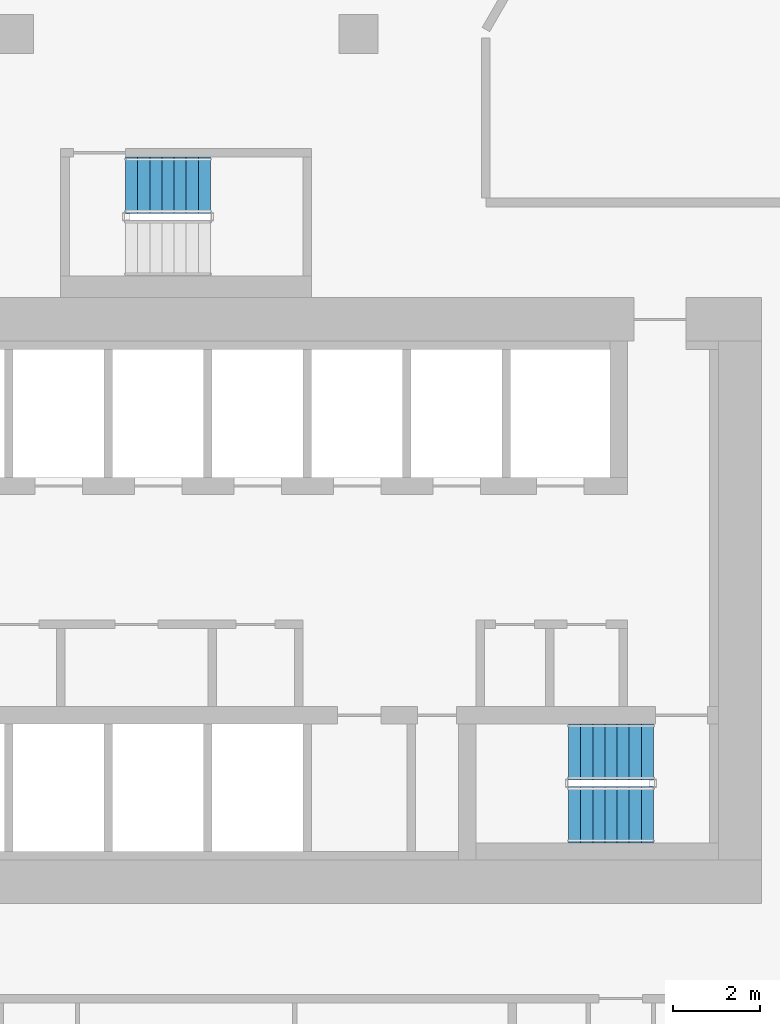
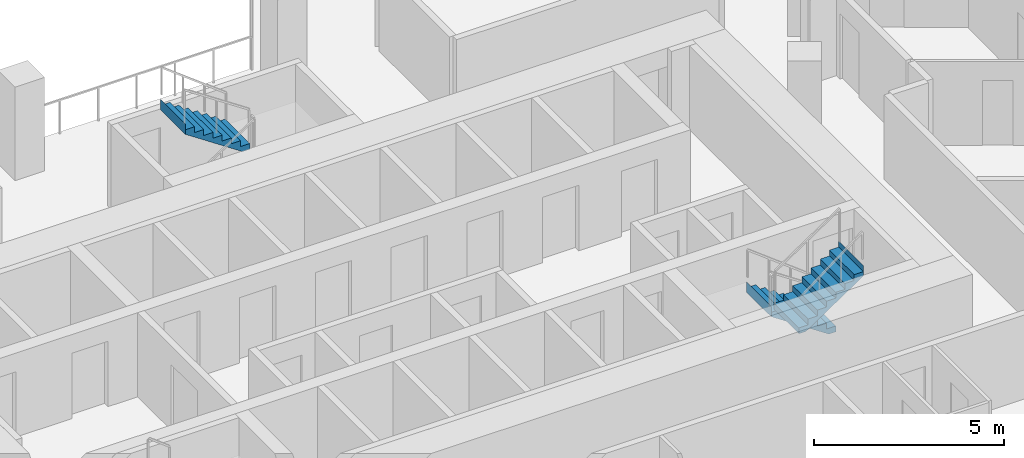
# One storey, part 14 of 18: 3 stair flights, 2 elements without a shape of their own.
"""IFC4 building model written with IfcOpenShell, lengths in metres."""

from ifc_helpers import new_model, si_unit, direction, frame, origin, place, context, subcontext, project, spatial, triangles, material, type_object, element, aggregate, save


model = new_model("IFC4")

# Units and contexts
model_context = context("Model", 3, precision=1e-05, world=origin(), true_north=direction((0.0, 1.0)))
body_context = subcontext(model_context, "Body", "Model", "MODEL_VIEW")
ifc_project = project(units=[si_unit("LENGTHUNIT", "METRE"), si_unit("AREAUNIT", "SQUARE_METRE"), si_unit("VOLUMEUNIT", "CUBIC_METRE"), si_unit("PLANEANGLEUNIT", "RADIAN"), si_unit("MASSUNIT", "GRAM", prefix="KILO")], contexts=[model_context])

# Site, building, storey
site_placement = place(None, origin())
site = spatial("IfcSite", under=ifc_project, at=site_placement, CompositionType="ELEMENT")
building_placement = place(site_placement, origin())
building = spatial("IfcBuilding", under=site, at=building_placement, Name="Beryl Residences", CompositionType="ELEMENT")
storey_placement = place(building_placement, frame((0.0, 0.0, 93.0)))
storey = spatial("IfcBuildingStorey", under=building, at=storey_placement, Name="L28", CompositionType="ELEMENT", Elevation=93.0)

# Stair, stair flights
ifc_material_1 = material(Name="Concrete C40/50", Category="concrete")
stair_type = type_object("IfcStairType", Name="ST1 protected exit stair, half-turn, 1300 mm flights", PredefinedType="HALF_TURN_STAIR", material=ifc_material_1)
stair_1_placement = place(storey_placement, origin())
stair_1 = element("IfcStair", 1, at=stair_1_placement, inside=storey, type_object=stair_type, Name="L28 PROTECTED EXIT STAIR ST-3", PredefinedType="HALF_TURN_STAIR")
ifc_material_2 = material(Name="Concrete C40/50", Category="concrete")
stair_flight_type = type_object("IfcStairFlightType", Name="SF1 stair flight 1300 mm", PredefinedType="STRAIGHT", material=ifc_material_2)
stair_flight_1_placement = place(storey_placement, frame((10.800048828125, -15.5, 0.0), z_axis=(0.0, 0.0, 1.0), x_axis=(-1.0, 0.0, 0.0)))
stair_flight_1 = element("IfcStairFlight", 2, at=stair_flight_1_placement, type_object=stair_flight_type, Name="ST-3 flight 1", NumberOfRisers=8, NumberOfTreads=7, PredefinedType="STRAIGHT", RiserHeight=0.1875, TreadLength=0.28, context=body_context, shape_type="Tessellation", body=[
    triangles([(0.0, -0.64990234375, 0.0), (0.0, -0.324951171875, 0.0), (0.0, 0.0, 0.0), (0.0, 0.324951171875, 0.0), (0.0, 0.64990234375, 0.0), (0.0, -0.64990234375, 0.1875), (0.0, -0.324951171875, 0.1875), (0.0, 0.0, 0.1875), (0.0, 0.324951171875, 0.1875), (0.0, 0.64990234375, 0.1875), (0.280029296875, -0.64990234375, 0.1875), (0.280029296875, -0.324951171875, 0.1875), (0.280029296875, 0.0, 0.1875), (0.280029296875, 0.324951171875, 0.1875), (0.280029296875, 0.64990234375, 0.1875), (0.280029296875, -0.64990234375, 0.375), (0.280029296875, -0.324951171875, 0.375), (0.280029296875, 0.0, 0.375), (0.280029296875, 0.324951171875, 0.375), (0.280029296875, 0.64990234375, 0.375), (0.56005859375, -0.64990234375, 0.375), (0.56005859375, -0.324951171875, 0.375), (0.56005859375, 0.0, 0.375), (0.56005859375, 0.324951171875, 0.375), (0.56005859375, 0.64990234375, 0.375), (0.56005859375, -0.64990234375, 0.5625), (0.56005859375, -0.324951171875, 0.5625), (0.56005859375, 0.0, 0.5625), (0.56005859375, 0.324951171875, 0.5625), (0.56005859375, 0.64990234375, 0.5625), (0.840087890625, -0.64990234375, 0.5625), (0.840087890625, -0.324951171875, 0.5625), (0.840087890625, 0.0, 0.5625), (0.840087890625, 0.324951171875, 0.5625), (0.840087890625, 0.64990234375, 0.5625), (0.840087890625, -0.64990234375, 0.75), (0.840087890625, -0.324951171875, 0.75), (0.840087890625, 0.0, 0.75), (0.840087890625, 0.324951171875, 0.75), (0.840087890625, 0.64990234375, 0.75), (1.1201171875, -0.64990234375, 0.75), (1.1201171875, -0.324951171875, 0.75), (1.1201171875, 0.0, 0.75), (1.1201171875, 0.324951171875, 0.75), (1.1201171875, 0.64990234375, 0.75), (1.1201171875, -0.64990234375, 0.9375), (1.1201171875, -0.324951171875, 0.9375), (1.1201171875, 0.0, 0.9375), (1.1201171875, 0.324951171875, 0.9375), (1.1201171875, 0.64990234375, 0.9375), (1.39990234375, -0.64990234375, 0.9375), (1.39990234375, -0.324951171875, 0.9375), (1.39990234375, 0.0, 0.9375), (1.39990234375, 0.324951171875, 0.9375), (1.39990234375, 0.64990234375, 0.9375), (1.39990234375, -0.64990234375, 1.125), (1.39990234375, -0.324951171875, 1.125), (1.39990234375, 0.0, 1.125), (1.39990234375, 0.324951171875, 1.125), (1.39990234375, 0.64990234375, 1.125), (1.679931640625, -0.64990234375, 1.125), (1.679931640625, -0.324951171875, 1.125), (1.679931640625, 0.0, 1.125), (1.679931640625, 0.324951171875, 1.125), (1.679931640625, 0.64990234375, 1.125), (1.679931640625, -0.64990234375, 1.3125), (1.679931640625, -0.324951171875, 1.3125), (1.679931640625, 0.0, 1.3125), (1.679931640625, 0.324951171875, 1.3125), (1.679931640625, 0.64990234375, 1.3125), (1.9599609375, -0.64990234375, 1.3125), (1.9599609375, -0.324951171875, 1.3125), (1.9599609375, 0.0, 1.3125), (1.9599609375, 0.324951171875, 1.3125), (1.9599609375, 0.64990234375, 1.3125), (1.9599609375, -0.64990234375, 1.5), (1.9599609375, -0.324951171875, 1.5), (1.9599609375, 0.0, 1.5), (1.9599609375, 0.324951171875, 1.5), (1.9599609375, 0.64990234375, 1.5), (1.9609375, -0.64990234375, 1.5), (1.9609375, -0.324951171875, 1.5), (1.9609375, 0.0, 1.5), (1.9609375, 0.324951171875, 1.5), (1.9609375, 0.64990234375, 1.5), (1.9609375, -0.64990234375, 1.16796875), (1.9609375, -0.324951171875, 1.16796875), (1.9609375, 0.0, 1.16796875), (1.9609375, 0.324951171875, 1.16796875), (1.9609375, 0.64990234375, 1.16796875), (0.216796875, -0.64990234375, 0.0), (0.216796875, -0.324951171875, 0.0), (0.216796875, 0.0, 0.0), (0.216796875, 0.324951171875, 0.0), (0.216796875, 0.64990234375, 0.0)], [[1, 6, 7], [1, 7, 2], [2, 7, 8], [2, 8, 3], [3, 8, 9], [3, 9, 4], [4, 9, 10], [4, 10, 5], [6, 11, 12], [6, 12, 7], [7, 12, 13], [7, 13, 8], [8, 13, 14], [8, 14, 9], [9, 14, 15], [9, 15, 10], [11, 16, 17], [11, 17, 12], [12, 17, 18], [12, 18, 13], [13, 18, 19], [13, 19, 14], [14, 19, 20], [14, 20, 15], [16, 21, 22], [16, 22, 17], [17, 22, 23], [17, 23, 18], [18, 23, 24], [18, 24, 19], [19, 24, 25], [19, 25, 20], [21, 26, 27], [21, 27, 22], [22, 27, 28], [22, 28, 23], [23, 28, 29], [23, 29, 24], [24, 29, 30], [24, 30, 25], [26, 31, 32], [26, 32, 27], [27, 32, 33], [27, 33, 28], [28, 33, 34], [28, 34, 29], [29, 34, 35], [29, 35, 30], [31, 36, 37], [31, 37, 32], [32, 37, 38], [32, 38, 33], [33, 38, 39], [33, 39, 34], [34, 39, 40], [34, 40, 35], [36, 41, 42], [36, 42, 37], [37, 42, 43], [37, 43, 38], [38, 43, 44], [38, 44, 39], [39, 44, 45], [39, 45, 40], [41, 46, 47], [41, 47, 42], [42, 47, 48], [42, 48, 43], [43, 48, 49], [43, 49, 44], [44, 49, 50], [44, 50, 45], [46, 51, 52], [46, 52, 47], [47, 52, 53], [47, 53, 48], [48, 53, 54], [48, 54, 49], [49, 54, 55], [49, 55, 50], [51, 56, 57], [51, 57, 52], [52, 57, 58], [52, 58, 53], [53, 58, 59], [53, 59, 54], [54, 59, 60], [54, 60, 55], [56, 61, 62], [56, 62, 57], [57, 62, 63], [57, 63, 58], [58, 63, 64], [58, 64, 59], [59, 64, 65], [59, 65, 60], [61, 66, 67], [61, 67, 62], [62, 67, 68], [62, 68, 63], [63, 68, 69], [63, 69, 64], [64, 69, 70], [64, 70, 65], [66, 71, 72], [66, 72, 67], [67, 72, 73], [67, 73, 68], [68, 73, 74], [68, 74, 69], [69, 74, 75], [69, 75, 70], [71, 76, 77], [71, 77, 72], [72, 77, 78], [72, 78, 73], [73, 78, 79], [73, 79, 74], [74, 79, 80], [74, 80, 75], [76, 81, 82], [76, 82, 77], [77, 82, 83], [77, 83, 78], [78, 83, 84], [78, 84, 79], [79, 84, 85], [79, 85, 80], [81, 86, 87], [81, 87, 82], [82, 87, 88], [82, 88, 83], [83, 88, 89], [83, 89, 84], [84, 89, 90], [84, 90, 85], [86, 91, 92], [86, 92, 87], [87, 92, 93], [87, 93, 88], [88, 93, 94], [88, 94, 89], [89, 94, 95], [89, 95, 90], [91, 1, 2], [91, 2, 92], [92, 2, 3], [92, 3, 93], [93, 3, 4], [93, 4, 94], [94, 4, 5], [94, 5, 95], [1, 91, 86], [5, 90, 95], [86, 81, 76], [90, 80, 85], [86, 76, 71], [90, 75, 80], [86, 71, 66], [90, 70, 75], [86, 66, 61], [90, 65, 70], [61, 56, 51], [65, 55, 60], [86, 61, 51], [90, 55, 65], [51, 46, 41], [55, 45, 50], [86, 51, 41], [90, 45, 55], [41, 36, 31], [45, 35, 40], [86, 41, 31], [90, 35, 45], [31, 26, 21], [35, 25, 30], [86, 31, 21], [90, 25, 35], [21, 16, 11], [25, 15, 20], [86, 21, 11], [90, 15, 25], [1, 86, 11], [5, 15, 90], [11, 6, 1], [15, 5, 10]], closed=True),
])
stair_flight_2_placement = place(storey_placement, frame((8.840087890625, -16.949951171875, 1.5), z_axis=(0.0, 0.0, 1.0), x_axis=(1.0, 0.0, 0.0)))
stair_flight_2 = element("IfcStairFlight", 3, at=stair_flight_2_placement, type_object=stair_flight_type, Name="ST-3 flight 2", NumberOfRisers=8, NumberOfTreads=7, PredefinedType="STRAIGHT", RiserHeight=0.1875, TreadLength=0.28, context=body_context, shape_type="Tessellation", body=[
    triangles([(0.0, -0.64990234375, 0.0), (0.0, -0.324951171875, 0.0), (0.0, 0.0, 0.0), (0.0, 0.324951171875, 0.0), (0.0, 0.64990234375, 0.0), (0.0, -0.64990234375, 0.1875), (0.0, -0.324951171875, 0.1875), (0.0, 0.0, 0.1875), (0.0, 0.324951171875, 0.1875), (0.0, 0.64990234375, 0.1875), (0.280029296875, -0.64990234375, 0.1875), (0.280029296875, -0.324951171875, 0.1875), (0.280029296875, 0.0, 0.1875), (0.280029296875, 0.324951171875, 0.1875), (0.280029296875, 0.64990234375, 0.1875), (0.280029296875, -0.64990234375, 0.375), (0.280029296875, -0.324951171875, 0.375), (0.280029296875, 0.0, 0.375), (0.280029296875, 0.324951171875, 0.375), (0.280029296875, 0.64990234375, 0.375), (0.56005859375, -0.64990234375, 0.375), (0.56005859375, -0.324951171875, 0.375), (0.56005859375, 0.0, 0.375), (0.56005859375, 0.324951171875, 0.375), (0.56005859375, 0.64990234375, 0.375), (0.56005859375, -0.64990234375, 0.5625), (0.56005859375, -0.324951171875, 0.5625), (0.56005859375, 0.0, 0.5625), (0.56005859375, 0.324951171875, 0.5625), (0.56005859375, 0.64990234375, 0.5625), (0.840087890625, -0.64990234375, 0.5625), (0.840087890625, -0.324951171875, 0.5625), (0.840087890625, 0.0, 0.5625), (0.840087890625, 0.324951171875, 0.5625), (0.840087890625, 0.64990234375, 0.5625), (0.840087890625, -0.64990234375, 0.75), (0.840087890625, -0.324951171875, 0.75), (0.840087890625, 0.0, 0.75), (0.840087890625, 0.324951171875, 0.75), (0.840087890625, 0.64990234375, 0.75), (1.1201171875, -0.64990234375, 0.75), (1.1201171875, -0.324951171875, 0.75), (1.1201171875, 0.0, 0.75), (1.1201171875, 0.324951171875, 0.75), (1.1201171875, 0.64990234375, 0.75), (1.1201171875, -0.64990234375, 0.9375), (1.1201171875, -0.324951171875, 0.9375), (1.1201171875, 0.0, 0.9375), (1.1201171875, 0.324951171875, 0.9375), (1.1201171875, 0.64990234375, 0.9375), (1.39990234375, -0.64990234375, 0.9375), (1.39990234375, -0.324951171875, 0.9375), (1.39990234375, 0.0, 0.9375), (1.39990234375, 0.324951171875, 0.9375), (1.39990234375, 0.64990234375, 0.9375), (1.39990234375, -0.64990234375, 1.125), (1.39990234375, -0.324951171875, 1.125), (1.39990234375, 0.0, 1.125), (1.39990234375, 0.324951171875, 1.125), (1.39990234375, 0.64990234375, 1.125), (1.679931640625, -0.64990234375, 1.125), (1.679931640625, -0.324951171875, 1.125), (1.679931640625, 0.0, 1.125), (1.679931640625, 0.324951171875, 1.125), (1.679931640625, 0.64990234375, 1.125), (1.679931640625, -0.64990234375, 1.3125), (1.679931640625, -0.324951171875, 1.3125), (1.679931640625, 0.0, 1.3125), (1.679931640625, 0.324951171875, 1.3125), (1.679931640625, 0.64990234375, 1.3125), (1.9599609375, -0.64990234375, 1.3125), (1.9599609375, -0.324951171875, 1.3125), (1.9599609375, 0.0, 1.3125), (1.9599609375, 0.324951171875, 1.3125), (1.9599609375, 0.64990234375, 1.3125), (1.9599609375, -0.64990234375, 1.5), (1.9599609375, -0.324951171875, 1.5), (1.9599609375, 0.0, 1.5), (1.9599609375, 0.324951171875, 1.5), (1.9599609375, 0.64990234375, 1.5), (1.9609375, -0.64990234375, 1.5), (1.9609375, -0.324951171875, 1.5), (1.9609375, 0.0, 1.5), (1.9609375, 0.324951171875, 1.5), (1.9609375, 0.64990234375, 1.5), (1.9609375, -0.64990234375, 1.16796875), (1.9609375, -0.324951171875, 1.16796875), (1.9609375, 0.0, 1.16796875), (1.9609375, 0.324951171875, 1.16796875), (1.9609375, 0.64990234375, 1.16796875), (0.216796875, -0.64990234375, 0.0), (0.216796875, -0.324951171875, 0.0), (0.216796875, 0.0, 0.0), (0.216796875, 0.324951171875, 0.0), (0.216796875, 0.64990234375, 0.0)], [[1, 6, 7], [1, 7, 2], [2, 7, 8], [2, 8, 3], [3, 8, 9], [3, 9, 4], [4, 9, 10], [4, 10, 5], [6, 11, 12], [6, 12, 7], [7, 12, 13], [7, 13, 8], [8, 13, 14], [8, 14, 9], [9, 14, 15], [9, 15, 10], [11, 16, 17], [11, 17, 12], [12, 17, 18], [12, 18, 13], [13, 18, 19], [13, 19, 14], [14, 19, 20], [14, 20, 15], [16, 21, 22], [16, 22, 17], [17, 22, 23], [17, 23, 18], [18, 23, 24], [18, 24, 19], [19, 24, 25], [19, 25, 20], [21, 26, 27], [21, 27, 22], [22, 27, 28], [22, 28, 23], [23, 28, 29], [23, 29, 24], [24, 29, 30], [24, 30, 25], [26, 31, 32], [26, 32, 27], [27, 32, 33], [27, 33, 28], [28, 33, 34], [28, 34, 29], [29, 34, 35], [29, 35, 30], [31, 36, 37], [31, 37, 32], [32, 37, 38], [32, 38, 33], [33, 38, 39], [33, 39, 34], [34, 39, 40], [34, 40, 35], [36, 41, 42], [36, 42, 37], [37, 42, 43], [37, 43, 38], [38, 43, 44], [38, 44, 39], [39, 44, 45], [39, 45, 40], [41, 46, 47], [41, 47, 42], [42, 47, 48], [42, 48, 43], [43, 48, 49], [43, 49, 44], [44, 49, 50], [44, 50, 45], [46, 51, 52], [46, 52, 47], [47, 52, 53], [47, 53, 48], [48, 53, 54], [48, 54, 49], [49, 54, 55], [49, 55, 50], [51, 56, 57], [51, 57, 52], [52, 57, 58], [52, 58, 53], [53, 58, 59], [53, 59, 54], [54, 59, 60], [54, 60, 55], [56, 61, 62], [56, 62, 57], [57, 62, 63], [57, 63, 58], [58, 63, 64], [58, 64, 59], [59, 64, 65], [59, 65, 60], [61, 66, 67], [61, 67, 62], [62, 67, 68], [62, 68, 63], [63, 68, 69], [63, 69, 64], [64, 69, 70], [64, 70, 65], [66, 71, 72], [66, 72, 67], [67, 72, 73], [67, 73, 68], [68, 73, 74], [68, 74, 69], [69, 74, 75], [69, 75, 70], [71, 76, 77], [71, 77, 72], [72, 77, 78], [72, 78, 73], [73, 78, 79], [73, 79, 74], [74, 79, 80], [74, 80, 75], [76, 81, 82], [76, 82, 77], [77, 82, 83], [77, 83, 78], [78, 83, 84], [78, 84, 79], [79, 84, 85], [79, 85, 80], [81, 86, 87], [81, 87, 82], [82, 87, 88], [82, 88, 83], [83, 88, 89], [83, 89, 84], [84, 89, 90], [84, 90, 85], [86, 91, 92], [86, 92, 87], [87, 92, 93], [87, 93, 88], [88, 93, 94], [88, 94, 89], [89, 94, 95], [89, 95, 90], [91, 1, 2], [91, 2, 92], [92, 2, 3], [92, 3, 93], [93, 3, 4], [93, 4, 94], [94, 4, 5], [94, 5, 95], [1, 91, 86], [5, 90, 95], [86, 81, 76], [90, 80, 85], [86, 76, 71], [90, 75, 80], [86, 71, 66], [90, 70, 75], [86, 66, 61], [90, 65, 70], [61, 56, 51], [65, 55, 60], [86, 61, 51], [90, 55, 65], [51, 46, 41], [55, 45, 50], [86, 51, 41], [90, 45, 55], [41, 36, 31], [45, 35, 40], [86, 41, 31], [90, 35, 45], [31, 26, 21], [35, 25, 30], [86, 31, 21], [90, 25, 35], [21, 16, 11], [25, 15, 20], [86, 21, 11], [90, 15, 25], [1, 86, 11], [5, 15, 90], [11, 6, 1], [15, 5, 10]], closed=True),
])
aggregate(stair_1, [stair_flight_1, stair_flight_2])

# Stair, stair flight
stair_2_placement = place(storey_placement, origin())
stair_2 = element("IfcStair", 4, at=stair_2_placement, inside=storey, type_object=stair_type, Name="L28 PROTECTED EXIT STAIR ST-4", PredefinedType="HALF_TURN_STAIR")
stair_flight_3_placement = place(storey_placement, frame((0.56005859375, -2.39990234375, 1.5), z_axis=(0.0, 0.0, 1.0), x_axis=(-1.0, 0.0, 0.0)))
stair_flight_3 = element("IfcStairFlight", 5, at=stair_flight_3_placement, type_object=stair_flight_type, Name="ST-4 flight 2", NumberOfRisers=8, NumberOfTreads=7, PredefinedType="STRAIGHT", RiserHeight=0.1875, TreadLength=0.28, context=body_context, shape_type="Tessellation", body=[
    triangles([(0.0, -0.64990234375, 0.0), (0.0, -0.324951171875, 0.0), (0.0, 0.0, 0.0), (0.0, 0.324951171875, 0.0), (0.0, 0.64990234375, 0.0), (0.0, -0.64990234375, 0.1875), (0.0, -0.324951171875, 0.1875), (0.0, 0.0, 0.1875), (0.0, 0.324951171875, 0.1875), (0.0, 0.64990234375, 0.1875), (0.280029296875, -0.64990234375, 0.1875), (0.280029296875, -0.324951171875, 0.1875), (0.280029296875, 0.0, 0.1875), (0.280029296875, 0.324951171875, 0.1875), (0.280029296875, 0.64990234375, 0.1875), (0.280029296875, -0.64990234375, 0.375), (0.280029296875, -0.324951171875, 0.375), (0.280029296875, 0.0, 0.375), (0.280029296875, 0.324951171875, 0.375), (0.280029296875, 0.64990234375, 0.375), (0.56005859375, -0.64990234375, 0.375), (0.56005859375, -0.324951171875, 0.375), (0.56005859375, 0.0, 0.375), (0.56005859375, 0.324951171875, 0.375), (0.56005859375, 0.64990234375, 0.375), (0.56005859375, -0.64990234375, 0.5625), (0.56005859375, -0.324951171875, 0.5625), (0.56005859375, 0.0, 0.5625), (0.56005859375, 0.324951171875, 0.5625), (0.56005859375, 0.64990234375, 0.5625), (0.840087890625, -0.64990234375, 0.5625), (0.840087890625, -0.324951171875, 0.5625), (0.840087890625, 0.0, 0.5625), (0.840087890625, 0.324951171875, 0.5625), (0.840087890625, 0.64990234375, 0.5625), (0.840087890625, -0.64990234375, 0.75), (0.840087890625, -0.324951171875, 0.75), (0.840087890625, 0.0, 0.75), (0.840087890625, 0.324951171875, 0.75), (0.840087890625, 0.64990234375, 0.75), (1.1201171875, -0.64990234375, 0.75), (1.1201171875, -0.324951171875, 0.75), (1.1201171875, 0.0, 0.75), (1.1201171875, 0.324951171875, 0.75), (1.1201171875, 0.64990234375, 0.75), (1.1201171875, -0.64990234375, 0.9375), (1.1201171875, -0.324951171875, 0.9375), (1.1201171875, 0.0, 0.9375), (1.1201171875, 0.324951171875, 0.9375), (1.1201171875, 0.64990234375, 0.9375), (1.39990234375, -0.64990234375, 0.9375), (1.39990234375, -0.324951171875, 0.9375), (1.39990234375, 0.0, 0.9375), (1.39990234375, 0.324951171875, 0.9375), (1.39990234375, 0.64990234375, 0.9375), (1.39990234375, -0.64990234375, 1.125), (1.39990234375, -0.324951171875, 1.125), (1.39990234375, 0.0, 1.125), (1.39990234375, 0.324951171875, 1.125), (1.39990234375, 0.64990234375, 1.125), (1.679931640625, -0.64990234375, 1.125), (1.679931640625, -0.324951171875, 1.125), (1.679931640625, 0.0, 1.125), (1.679931640625, 0.324951171875, 1.125), (1.679931640625, 0.64990234375, 1.125), (1.679931640625, -0.64990234375, 1.3125), (1.679931640625, -0.324951171875, 1.3125), (1.679931640625, 0.0, 1.3125), (1.679931640625, 0.324951171875, 1.3125), (1.679931640625, 0.64990234375, 1.3125), (1.9599609375, -0.64990234375, 1.3125), (1.9599609375, -0.324951171875, 1.3125), (1.9599609375, 0.0, 1.3125), (1.9599609375, 0.324951171875, 1.3125), (1.9599609375, 0.64990234375, 1.3125), (1.9599609375, -0.64990234375, 1.5), (1.9599609375, -0.324951171875, 1.5), (1.9599609375, 0.0, 1.5), (1.9599609375, 0.324951171875, 1.5), (1.9599609375, 0.64990234375, 1.5), (1.9609375, -0.64990234375, 1.5), (1.9609375, -0.324951171875, 1.5), (1.9609375, 0.0, 1.5), (1.9609375, 0.324951171875, 1.5), (1.9609375, 0.64990234375, 1.5), (1.9609375, -0.64990234375, 1.16796875), (1.9609375, -0.324951171875, 1.16796875), (1.9609375, 0.0, 1.16796875), (1.9609375, 0.324951171875, 1.16796875), (1.9609375, 0.64990234375, 1.16796875), (0.216796875, -0.64990234375, 0.0), (0.216796875, -0.324951171875, 0.0), (0.216796875, 0.0, 0.0), (0.216796875, 0.324951171875, 0.0), (0.216796875, 0.64990234375, 0.0)], [[1, 6, 7], [1, 7, 2], [2, 7, 8], [2, 8, 3], [3, 8, 9], [3, 9, 4], [4, 9, 10], [4, 10, 5], [6, 11, 12], [6, 12, 7], [7, 12, 13], [7, 13, 8], [8, 13, 14], [8, 14, 9], [9, 14, 15], [9, 15, 10], [11, 16, 17], [11, 17, 12], [12, 17, 18], [12, 18, 13], [13, 18, 19], [13, 19, 14], [14, 19, 20], [14, 20, 15], [16, 21, 22], [16, 22, 17], [17, 22, 23], [17, 23, 18], [18, 23, 24], [18, 24, 19], [19, 24, 25], [19, 25, 20], [21, 26, 27], [21, 27, 22], [22, 27, 28], [22, 28, 23], [23, 28, 29], [23, 29, 24], [24, 29, 30], [24, 30, 25], [26, 31, 32], [26, 32, 27], [27, 32, 33], [27, 33, 28], [28, 33, 34], [28, 34, 29], [29, 34, 35], [29, 35, 30], [31, 36, 37], [31, 37, 32], [32, 37, 38], [32, 38, 33], [33, 38, 39], [33, 39, 34], [34, 39, 40], [34, 40, 35], [36, 41, 42], [36, 42, 37], [37, 42, 43], [37, 43, 38], [38, 43, 44], [38, 44, 39], [39, 44, 45], [39, 45, 40], [41, 46, 47], [41, 47, 42], [42, 47, 48], [42, 48, 43], [43, 48, 49], [43, 49, 44], [44, 49, 50], [44, 50, 45], [46, 51, 52], [46, 52, 47], [47, 52, 53], [47, 53, 48], [48, 53, 54], [48, 54, 49], [49, 54, 55], [49, 55, 50], [51, 56, 57], [51, 57, 52], [52, 57, 58], [52, 58, 53], [53, 58, 59], [53, 59, 54], [54, 59, 60], [54, 60, 55], [56, 61, 62], [56, 62, 57], [57, 62, 63], [57, 63, 58], [58, 63, 64], [58, 64, 59], [59, 64, 65], [59, 65, 60], [61, 66, 67], [61, 67, 62], [62, 67, 68], [62, 68, 63], [63, 68, 69], [63, 69, 64], [64, 69, 70], [64, 70, 65], [66, 71, 72], [66, 72, 67], [67, 72, 73], [67, 73, 68], [68, 73, 74], [68, 74, 69], [69, 74, 75], [69, 75, 70], [71, 76, 77], [71, 77, 72], [72, 77, 78], [72, 78, 73], [73, 78, 79], [73, 79, 74], [74, 79, 80], [74, 80, 75], [76, 81, 82], [76, 82, 77], [77, 82, 83], [77, 83, 78], [78, 83, 84], [78, 84, 79], [79, 84, 85], [79, 85, 80], [81, 86, 87], [81, 87, 82], [82, 87, 88], [82, 88, 83], [83, 88, 89], [83, 89, 84], [84, 89, 90], [84, 90, 85], [86, 91, 92], [86, 92, 87], [87, 92, 93], [87, 93, 88], [88, 93, 94], [88, 94, 89], [89, 94, 95], [89, 95, 90], [91, 1, 2], [91, 2, 92], [92, 2, 3], [92, 3, 93], [93, 3, 4], [93, 4, 94], [94, 4, 5], [94, 5, 95], [1, 91, 86], [5, 90, 95], [86, 81, 76], [90, 80, 85], [86, 76, 71], [90, 75, 80], [86, 71, 66], [90, 70, 75], [86, 66, 61], [90, 65, 70], [61, 56, 51], [65, 55, 60], [86, 61, 51], [90, 55, 65], [51, 46, 41], [55, 45, 50], [86, 51, 41], [90, 45, 55], [41, 36, 31], [45, 35, 40], [86, 41, 31], [90, 35, 45], [31, 26, 21], [35, 25, 30], [86, 31, 21], [90, 25, 35], [21, 16, 11], [25, 15, 20], [86, 21, 11], [90, 15, 25], [1, 86, 11], [5, 15, 90], [11, 6, 1], [15, 5, 10]], closed=True),
])
aggregate(stair_2, [stair_flight_3])

save(model, "model.ifc")
